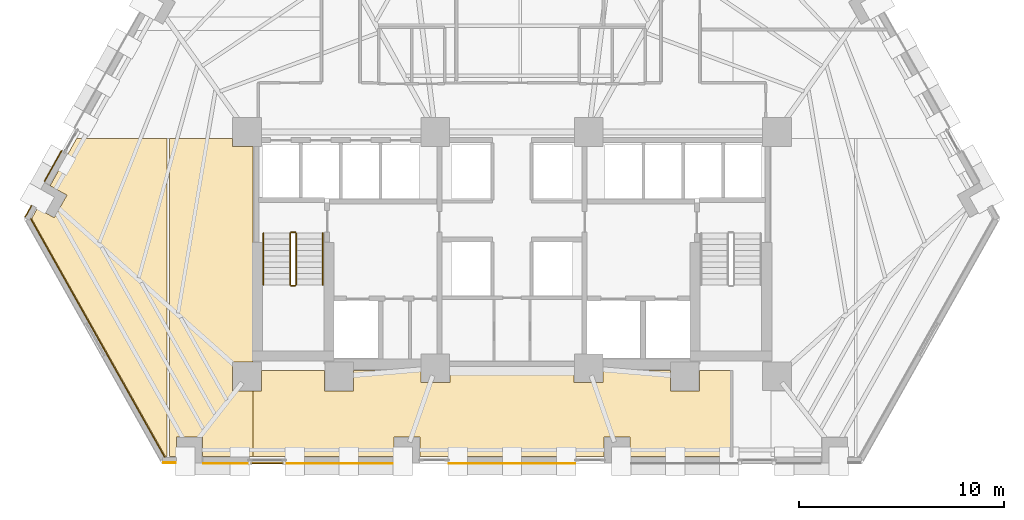
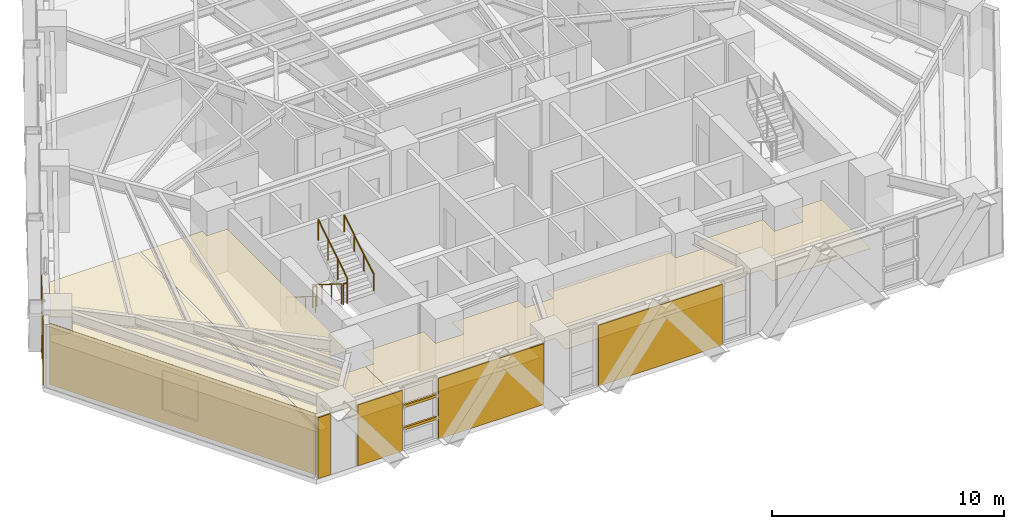
# One storey, part 10 of 13: 10 coverings, 6 railings, 2 shading devices.
"""IFC4 building model written with IfcOpenShell, lengths in metres."""

import ifcopenshell
import ifcopenshell.guid

model = None  # the IFC model being written
_history = None  # IfcOwnerHistory: only IFC2X3 demands one
_inside = {}  # id of a spatial element -> (the spatial element, [elements in it])
_under = {}  # id of a project, library or spatial element -> (it, [spatial elements below it])
_declared = {}  # id of a project -> (the project, [libraries it declares])
_typed = {}  # id of a type object -> (the type object, [elements of that type])
_made_of = {}  # id of a material, layer set ... -> (it, [elements and type objects made of it])


def new_model(schema):
    """Start an empty IFC model of exactly this schema.

    Asked for "IFC4X3", IfcOpenShell would pick the latest addendum, in which some entities
    have other attributes; the version numbers below select the first issue.
    IFC2X3 requires an IfcOwnerHistory on every rooted entity: one is made here for all.
    """
    global model, _history
    if schema == "IFC4X3":
        model = ifcopenshell.file(schema_version=(4, 3, 0, 0))
    else:
        model = ifcopenshell.file(schema=schema)
    _inside.clear()
    _under.clear()
    _declared.clear()
    _typed.clear()
    _made_of.clear()
    _history = None
    if model.schema == "IFC2X3":
        org = make("IfcOrganization", Name="unknown")
        user = make(
            "IfcPersonAndOrganization",
            ThePerson=make("IfcPerson", FamilyName="unknown"),
            TheOrganization=org,
        )
        app = make(
            "IfcApplication",
            ApplicationDeveloper=org,
            Version="unknown",
            ApplicationFullName="unknown",
            ApplicationIdentifier="unknown",
        )
        _history = make(
            "IfcOwnerHistory",
            OwningUser=user,
            OwningApplication=app,
            ChangeAction="ADDED",
            CreationDate=0,
        )
    return model


def make(cls, **values):
    """One entity of the class cls with the attributes given. An attribute that is None is left unset."""
    return model.create_entity(
        cls, **{name: value for name, value in values.items() if value is not None}
    )


def rooted(cls, **values):
    """An entity with a GlobalId (a new one), such as an element, a storey or a relation."""
    return make(cls, GlobalId=ifcopenshell.guid.new(), OwnerHistory=_history, **values)


def si_unit(unit_type, name, prefix=None):
    """IfcSIUnit, for example si_unit("LENGTHUNIT", "METRE", prefix="MILLI")."""
    return make("IfcSIUnit", UnitType=unit_type, Prefix=prefix, Name=name)


def assignment(units):
    """IfcUnitAssignment: the units of a project."""
    return None if units is None else make("IfcUnitAssignment", Units=units)


def point(xyz):
    """IfcCartesianPoint."""
    return None if xyz is None else make("IfcCartesianPoint", Coordinates=xyz)


def direction(xyz):
    """IfcDirection."""
    return None if xyz is None else make("IfcDirection", DirectionRatios=xyz)


def frame(location, z_axis=None, x_axis=None):
    """IfcAxis2Placement3D, a coordinate frame: its origin and axes. An axis left out is left unset."""
    return make(
        "IfcAxis2Placement3D",
        Location=point(location),
        Axis=direction(z_axis),
        RefDirection=direction(x_axis),
    )


def frame_2d(location, x_axis=None):
    """IfcAxis2Placement2D, a coordinate frame in the plane: its origin and x axis."""
    return make(
        "IfcAxis2Placement2D", Location=point(location), RefDirection=direction(x_axis)
    )


def origin():
    """The frame at (0, 0, 0) with its axes left unset."""
    return frame((0.0, 0.0, 0.0))


def origin_2d():
    """The frame at (0, 0) in the plane with its x axis left unset."""
    return frame_2d((0.0, 0.0))


def place(relative_to, where):
    """IfcLocalPlacement: puts the frame where relative to a parent placement (None: the world)."""
    return make(
        "IfcLocalPlacement", PlacementRelTo=relative_to, RelativePlacement=where
    )


def context(
    kind, dimensions, precision=None, world=None, true_north=None, identifier=None
):
    """IfcGeometricRepresentationContext, for example the 3D "Model" context."""
    return make(
        "IfcGeometricRepresentationContext",
        ContextIdentifier=identifier,
        ContextType=kind,
        CoordinateSpaceDimension=dimensions,
        Precision=precision,
        WorldCoordinateSystem=world,
        TrueNorth=true_north,
    )


def subcontext(parent, identifier, kind, view, scale=None):
    """IfcGeometricRepresentationSubContext, for example "Body" below "Model"."""
    return make(
        "IfcGeometricRepresentationSubContext",
        ContextIdentifier=identifier,
        ContextType=kind,
        ParentContext=parent,
        TargetScale=scale,
        TargetView=view,
    )


def project(units=None, contexts=None):
    """IfcProject with its units and contexts."""
    return rooted(
        "IfcProject",
        Name="project",
        RepresentationContexts=contexts,
        UnitsInContext=assignment(units),
    )


def spatial(cls, under=None, at=None, **own):
    """A site, building, storey or space (cls), placed at a placement, below another one or the project."""
    s = rooted(cls, ObjectPlacement=at, **own)
    if under is not None:
        _under.setdefault(under.id(), (under, []))[1].append(s)
    return s


def polyline(points):
    """IfcPolyline through the points."""
    return make("IfcPolyline", Points=[point(p) for p in points])


def profile(cls, at=None, kind="AREA", **sizes):
    """A parametric profile (cls). Its sizes go by their IFC names, for example OverallWidth=200.0."""
    return make(cls, ProfileType=kind, Position=at, **sizes)


def rectangle(**sizes):
    """IfcRectangleProfileDef."""
    return profile("IfcRectangleProfileDef", **sizes)


def circle(**sizes):
    """IfcCircleProfileDef."""
    return profile("IfcCircleProfileDef", **sizes)


def outline(outer, holes=None, kind="AREA"):
    """IfcArbitraryClosedProfileDef: a profile drawn as a closed curve; with holes, ...WithVoids."""
    if holes is None:
        return make("IfcArbitraryClosedProfileDef", ProfileType=kind, OuterCurve=outer)
    return make(
        "IfcArbitraryProfileDefWithVoids",
        ProfileType=kind,
        OuterCurve=outer,
        InnerCurves=holes,
    )


def extrude(swept, where, along, depth):
    """IfcExtrudedAreaSolid: the profile swept, set in the frame where, extruded along a direction by depth."""
    return make(
        "IfcExtrudedAreaSolid",
        SweptArea=swept,
        Position=where,
        ExtrudedDirection=direction(along),
        Depth=depth,
    )


def shape(context_of_items, identifier, shape_type, items):
    """IfcShapeRepresentation: the items that make up one representation, for example the "Body"."""
    return make(
        "IfcShapeRepresentation",
        ContextOfItems=context_of_items,
        RepresentationIdentifier=identifier,
        RepresentationType=shape_type,
        Items=items,
    )


def material(Name=None, Category=None):
    """IfcMaterial."""
    return make("IfcMaterial", Name=Name, Category=Category)


def layer(
    of_material, thickness, ventilated=None, Name=None, Category=None, Priority=None
):
    """IfcMaterialLayer: one layer of a wall or slab, of a material (None: an air gap)."""
    return make(
        "IfcMaterialLayer",
        Material=of_material,
        LayerThickness=thickness,
        IsVentilated=ventilated,
        Name=Name,
        Category=Category,
        Priority=Priority,
    )


def layer_set(layers, Name=None):
    """IfcMaterialLayerSet."""
    return make("IfcMaterialLayerSet", MaterialLayers=layers, LayerSetName=Name)


def material_profile(
    of_material, cross_section, Name=None, Category=None, Priority=None
):
    """IfcMaterialProfile: a cross section and its material."""
    return make(
        "IfcMaterialProfile",
        Name=Name,
        Material=of_material,
        Profile=cross_section,
        Priority=Priority,
        Category=Category,
    )


def profile_set(profiles, Name=None, composite=None):
    """IfcMaterialProfileSet."""
    return make(
        "IfcMaterialProfileSet",
        Name=Name,
        MaterialProfiles=profiles,
        CompositeProfile=composite,
    )


def made_of(thing, what):
    """Note that an element or type object is made of a material, layer set ...; save() writes the relation."""
    if what is not None:
        _made_of.setdefault(what.id(), (what, []))[1].append(thing)
    return thing


def type_object(cls, material=None, **own):
    """A type object (cls), such as IfcWallType, which elements share."""
    return made_of(rooted(cls, **own), material)


def element(
    cls,
    number,
    at=None,
    inside=None,
    cuts=None,
    type_object=None,
    material=None,
    context=None,
    identifier="Body",
    shape_type=None,
    held_by="IfcProductDefinitionShape",
    body=None,
    shapes=None,
    **own,
):
    """One element of the class cls, such as IfcWall. Its Tag is "e" and its number.

    at: its placement. inside: the storey or other place that contains it. cuts: it is an
    opening in that element (IfcRelVoidsElement). A single representation is given by context,
    identifier, shape_type and body (its items); several are given by shapes. held_by: the class
    of the entity that holds the representations. save() writes the other relations.
    """
    e = rooted(cls, Tag="e%d" % number, ObjectPlacement=at, **own)
    if body is not None:
        shapes = [shape(context, identifier, shape_type, body)]
    if shapes is not None:
        e.Representation = make(held_by, Representations=shapes)
    if inside is not None:
        _inside.setdefault(inside.id(), (inside, []))[1].append(e)
    if cuts is not None:
        rooted(
            "IfcRelVoidsElement", RelatingBuildingElement=cuts, RelatedOpeningElement=e
        )
    if type_object is not None:
        _typed.setdefault(type_object.id(), (type_object, []))[1].append(e)
    return made_of(e, material)


def aggregate(whole, parts):
    """IfcRelAggregates: a whole, such as a stair, and the parts it consists of."""
    return rooted("IfcRelAggregates", RelatingObject=whole, RelatedObjects=parts)


def save(model, path):
    """Write the relations noted so far, then the file.

    IfcRelAggregates (storeys below a building ...), IfcRelContainedInSpatialStructure (elements
    in a storey), IfcRelDefinesByType, IfcRelAssociatesMaterial and IfcRelDeclares: one each for
    every whole, place, type object, material and project.
    """
    for whole, parts in _under.values():
        aggregate(whole, parts)
    for where, things in _inside.values():
        rooted(
            "IfcRelContainedInSpatialStructure",
            RelatedElements=things,
            RelatingStructure=where,
        )
    for kind, things in _typed.values():
        rooted("IfcRelDefinesByType", RelatedObjects=things, RelatingType=kind)
    for what, things in _made_of.values():
        rooted("IfcRelAssociatesMaterial", RelatedObjects=things, RelatingMaterial=what)
    for by, libraries in _declared.values():
        rooted("IfcRelDeclares", RelatingContext=by, RelatedDefinitions=libraries)
    model.write(path)


model = new_model("IFC4")

# Units and contexts
model_context = context("Model", 3, precision=1e-05, world=origin(), true_north=direction((0.0, 1.0)))
body_context = subcontext(model_context, "Body", "Model", "MODEL_VIEW")
ifc_project = project(units=[si_unit("LENGTHUNIT", "METRE"), si_unit("AREAUNIT", "SQUARE_METRE"), si_unit("VOLUMEUNIT", "CUBIC_METRE"), si_unit("PLANEANGLEUNIT", "RADIAN"), si_unit("MASSUNIT", "GRAM", prefix="KILO")], contexts=[model_context])

# Site, building, storey
site_placement = place(None, origin())
site = spatial("IfcSite", under=ifc_project, at=site_placement, CompositionType="ELEMENT")
building_placement = place(site_placement, origin())
building = spatial("IfcBuilding", under=site, at=building_placement, Name="Quenlor Broadcast Tower", CompositionType="ELEMENT")
storey_placement = place(building_placement, frame((0.0, 0.0, 66.10009765625)))
storey = spatial("IfcBuildingStorey", under=building, at=storey_placement, Name="L17", CompositionType="ELEMENT", Elevation=66.10009765625)

# Coverings
ifc_material_1 = material(Name="Acoustic Mineral Fibre Board", Category="other")
ifc_layer_1 = layer(ifc_material_1, 0.02490234375)
ifc_layer_set_1 = layer_set([ifc_layer_1], Name="Acoustic Perforated Mineral Tile Ceiling 25")
covering_type_1 = type_object("IfcCoveringType", Name="Acoustic Perforated Mineral Tile Ceiling 25", PredefinedType="CEILING", material=ifc_layer_set_1)
covering_1_placement = place(storey_placement, frame((0.0, 0.0, 2.224853515625)))
element("IfcCovering", 1, at=covering_1_placement, inside=storey, type_object=covering_type_1, Name="L17 Acoustic Ceiling L17-39-2", PredefinedType="CEILING", context=body_context, shape_type="SweptSolid", body=[
    extrude(outline(polyline([(-13.657958984375, -5.508056640625), (-12.64990234375, -5.508056640625), (-12.64990234375, -16.0419921875), (-13.657958984375, -16.0419921875), (-13.657958984375, -17.4580078125), (-12.64990234375, -17.4580078125), (-12.64990234375, -20.659912109375), (-15.132080078125, -20.659912109375), (-15.132080078125, -19.717041015625), (-16.398193359375, -19.717041015625), (-16.398193359375, -20.659912109375), (-16.739990234375, -20.659912109375), (-16.739990234375, -5.1201171875), (-13.657958984375, -5.1201171875), (-13.657958984375, -5.508056640625)])), origin(), (0.0, 0.0, 1.0), 0.025146484375),
])
covering_2_placement = place(storey_placement, frame((0.0, 0.0, 2.224853515625)))
element("IfcCovering", 2, at=covering_2_placement, inside=storey, type_object=covering_type_1, Name="L17 Acoustic Ceiling L17-39-3", PredefinedType="CEILING", context=body_context, shape_type="SweptSolid", body=[
    extrude(outline(polyline([(-16.860107421875, -20.659912109375), (-16.937255859375, -20.659912109375), (-23.477783203125, -9.031982421875), (-23.196533203125, -8.531982421875), (-22.374755859375, -8.994140625), (-21.754150390625, -7.890625), (-22.575927734375, -7.428466796875), (-21.27734375, -5.1201171875), (-16.860107421875, -5.1201171875), (-16.860107421875, -20.659912109375)])), origin(), (0.0, 0.0, 1.0), 0.025146484375),
])
covering_3_placement = place(storey_placement, frame((0.0, 0.0, 2.224853515625)))
element("IfcCovering", 3, at=covering_3_placement, inside=storey, type_object=covering_type_1, Name="L17 Acoustic Ceiling L17-39-4", PredefinedType="CEILING", context=body_context, shape_type="SweptSolid", body=[
    extrude(outline(polyline([(-12.241943359375, -17.4580078125), (-12.241943359375, -16.449951171875), (-9.157958984375, -16.449951171875), (-9.157958984375, -17.4580078125), (-7.741943359375, -17.4580078125), (-7.741943359375, -16.449951171875), (-4.4580078125, -16.449951171875), (-4.4580078125, -17.05810546875), (-3.0419921875, -17.05810546875), (-3.0419921875, -16.449951171875), (3.0419921875, -16.449951171875), (3.0419921875, -17.05810546875), (4.4580078125, -17.05810546875), (4.4580078125, -16.449951171875), (7.741943359375, -16.449951171875), (7.741943359375, -17.4580078125), (9.157958984375, -17.4580078125), (9.157958984375, -16.449951171875), (10.68505859375, -16.449951171875), (10.68505859375, -20.659912109375), (5.773681640625, -20.659912109375), (5.773681640625, -19.717041015625), (4.5078125, -19.717041015625), (4.5078125, -20.659912109375), (-4.5078125, -20.659912109375), (-4.5078125, -19.717041015625), (-5.773681640625, -19.717041015625), (-5.773681640625, -20.659912109375), (-12.64990234375, -20.659912109375), (-12.64990234375, -17.4580078125), (-12.241943359375, -17.4580078125)])), origin(), (0.0, 0.0, 1.0), 0.025146484375),
])

# Shading devices
ifc_material_2 = material(Name="Architectural Terracotta Ceramic", Category="masonry")
ifc_material_profile = material_profile(ifc_material_2, rectangle(XDim=0.090087890625, YDim=0.139892578125, at=origin_2d()))
ifc_profile_set = profile_set([ifc_material_profile], Name="Architectural Terracotta Ceramic BAG90x140")
shading_device_type = type_object("IfcShadingDeviceType", Name="Copper Terracotta Baguette Solar Screen 140", PredefinedType="USERDEFINED", material=ifc_profile_set)
for number, where, z_axis, x_axis, name in (
    (4, (-11.146484375, -20.98291015625, 1.169921875), (-1.0, 0.0, 0.0), (0.0, -1.0, 0.0), "L17 Terracotta Baguette Screen 1"),
    (5, (-11.146484375, -20.98291015625, 2.33984375), (-1.0, 0.0, 0.0), (0.0, -1.0, 0.0), "L17 Terracotta Baguette Screen 2"),
):
    element("IfcShadingDevice", number, at=place(storey_placement, frame(where, z_axis=z_axis, x_axis=x_axis)), inside=storey, type_object=shading_device_type, Name=name, ObjectType="BAGUETTE", PredefinedType="USERDEFINED", context=body_context, shape_type="SweptSolid", body=[
        extrude(rectangle(XDim=0.090087890625, YDim=0.139892578125, at=origin_2d()), origin(), (0.0, 0.0, 1.0), 1.6484375),
    ])

# Coverings
ifc_material_3 = material(Name="Architectural Terracotta Ceramic", Category="masonry")
ifc_layer_2 = layer(ifc_material_3, 0.044921875)
ifc_layer_set_2 = layer_set([ifc_layer_2], Name="Fluted Terracotta Rainscreen Cladding Panel")
covering_type_2 = type_object("IfcCoveringType", Name="Fluted Terracotta Rainscreen Cladding Panel", PredefinedType="CLADDING", material=ifc_layer_set_2)
covering_4_placement = place(storey_placement, frame((0.0, 0.0, 0.02001953125)))
element("IfcCovering", 6, at=covering_4_placement, inside=storey, type_object=covering_type_2, Name="L17 Terracotta Rainscreen Cladding L17-SHD-SS1", PredefinedType="CLADDING", context=body_context, shape_type="SweptSolid", body=[
    extrude(outline(polyline([(-16.425048828125, -20.951904296875), (-17.0458984375, -20.951904296875), (-17.0458984375, -20.9970703125), (-16.425048828125, -20.9970703125), (-16.425048828125, -20.951904296875)])), origin(), (0.0, 0.0, 1.0), 3.2099609375),
])
covering_5_placement = place(storey_placement, frame((0.0, 0.0, 0.02001953125)))
element("IfcCovering", 7, at=covering_5_placement, inside=storey, type_object=covering_type_2, Name="L17 Terracotta Rainscreen Cladding L17-SC-SP1", PredefinedType="CLADDING", context=body_context, shape_type="SweptSolid", body=[
    extrude(outline(polyline([(-5.82080078125, -20.98193359375), (-11.07666015625, -20.98193359375), (-11.07666015625, -21.027099609375), (-5.82080078125, -21.027099609375), (-5.82080078125, -20.98193359375)])), origin(), (0.0, 0.0, 1.0), 3.2099609375),
])
covering_6_placement = place(storey_placement, frame((0.0, 0.0, 0.02001953125)))
element("IfcCovering", 8, at=covering_6_placement, inside=storey, type_object=covering_type_2, Name="L17 Terracotta Rainscreen Cladding L17-SC-SP2", PredefinedType="CLADDING", context=body_context, shape_type="SweptSolid", body=[
    extrude(outline(polyline([(-12.864990234375, -20.98193359375), (-15.085205078125, -20.98193359375), (-15.085205078125, -21.027099609375), (-12.864990234375, -21.027099609375), (-12.864990234375, -20.98193359375)])), origin(), (0.0, 0.0, 1.0), 3.2099609375),
])
covering_7_placement = place(storey_placement, frame((0.0, 0.0, 0.02001953125)))
element("IfcCovering", 9, at=covering_7_placement, inside=storey, type_object=covering_type_2, Name="L17 Terracotta Rainscreen Cladding L17-S-SP1", PredefinedType="CLADDING", context=body_context, shape_type="SweptSolid", body=[
    extrude(outline(polyline([(3.09619140625, -20.98193359375), (-3.09619140625, -20.98193359375), (-3.09619140625, -21.027099609375), (3.09619140625, -21.027099609375), (3.09619140625, -20.98193359375)])), origin(), (0.0, 0.0, 1.0), 3.2099609375),
])
covering_8_placement = place(storey_placement, frame((0.0, 0.0, 0.02001953125)))
element("IfcCovering", 10, at=covering_8_placement, inside=storey, type_object=covering_type_2, Name="L17 Terracotta Rainscreen Cladding L17-SHD-NWS0", PredefinedType="CLADDING", context=body_context, shape_type="SweptSolid", body=[
    extrude(outline(polyline([(-23.781982421875, -8.97705078125), (-23.464111328125, -8.412109375), (-23.50341796875, -8.39013671875), (-23.8212890625, -8.955078125), (-23.781982421875, -8.97705078125)])), origin(), (0.0, 0.0, 1.0), 3.2099609375),
])
covering_9_placement = place(storey_placement, frame((0.0, 0.0, 0.02001953125)))
element("IfcCovering", 11, at=covering_9_placement, inside=storey, type_object=covering_type_2, Name="L17 Terracotta Rainscreen Cladding L17-NWA-SP1", PredefinedType="CLADDING", context=body_context, shape_type="SweptSolid", body=[
    extrude(outline(polyline([(-22.83349609375, -7.2294921875), (-21.988525390625, -5.727294921875), (-22.027587890625, -5.705322265625), (-22.872802734375, -7.20751953125), (-22.83349609375, -7.2294921875)])), origin(), (0.0, 0.0, 1.0), 3.2099609375),
])
covering_10_placement = place(storey_placement, frame((0.0, 0.0, 0.02001953125)))
element("IfcCovering", 12, at=covering_10_placement, inside=storey, type_object=covering_type_2, Name="L17 Terracotta Rainscreen Cladding L17-CNR-04", PredefinedType="CLADDING", context=body_context, shape_type="SweptSolid", body=[
    extrude(outline(polyline([(-23.547607421875, -9.046875), (-16.98388671875, -20.71533203125), (-16.94482421875, -20.693359375), (-23.50830078125, -9.02490234375), (-23.547607421875, -9.046875)])), origin(), (0.0, 0.0, 1.0), 3.2099609375),
])

# Railings
ifc_material_4 = material(Name="Anodised Aluminium", Category="aluminium")
railing_type_1 = type_object("IfcRailingType", Name="Stainless Aluminium Wall Handrail 900", PredefinedType="HANDRAIL", material=ifc_material_4)
railing_1_placement = place(storey_placement, frame((-12.14990234375, -9.75, 0.1748046875)))
element("IfcRailing", 13, at=railing_1_placement, inside=storey, type_object=railing_type_1, Name="L17 ST-1 stair handrail 1", PredefinedType="HANDRAIL", context=body_context, shape_type="SweptSolid", body=[
    extrude(circle(Radius=0.02392578125, at=origin_2d()), frame((0.0, 0.0, 0.8759765625), z_axis=(0.0, -0.847970611238, 0.530043245855), x_axis=(1.0, 0.0, 0.0)), (0.0, 0.0, 1.0), 2.971923828125),
    extrude(circle(Radius=0.02099609375, at=origin_2d()), origin(), (0.0, 0.0, 1.0), 0.851806640625),
    extrude(circle(Radius=0.02099609375, at=origin_2d()), frame((0.0, -0.840087890625, 0.525146484375)), (0.0, 0.0, 1.0), 0.851806640625),
    extrude(circle(Radius=0.02099609375, at=origin_2d()), frame((0.0, -1.679931640625, 1.050048828125)), (0.0, 0.0, 1.0), 0.851806640625),
    extrude(circle(Radius=0.02099609375, at=origin_2d()), frame((0.0, -2.52001953125, 1.5751953125)), (0.0, 0.0, 1.0), 0.851806640625),
])
railing_2_placement = place(storey_placement, frame((-9.25, -12.27001953125, 1.9248046875)))
element("IfcRailing", 14, at=railing_2_placement, inside=storey, type_object=railing_type_1, Name="L17 ST-1 stair handrail 2", PredefinedType="HANDRAIL", context=body_context, shape_type="SweptSolid", body=[
    extrude(circle(Radius=0.02392578125, at=origin_2d()), frame((0.0, 0.0, 0.8759765625), z_axis=(0.0, 0.847970611238, 0.530043245855), x_axis=(-1.0, 0.0, 0.0)), (0.0, 0.0, 1.0), 2.971923828125),
    extrude(circle(Radius=0.02099609375, at=origin_2d()), origin(), (0.0, 0.0, 1.0), 0.851806640625),
    extrude(circle(Radius=0.02099609375, at=origin_2d()), frame((0.0, 0.840087890625, 0.525146484375)), (0.0, 0.0, 1.0), 0.851806640625),
    extrude(circle(Radius=0.02099609375, at=origin_2d()), frame((0.0, 1.679931640625, 1.050048828125)), (0.0, 0.0, 1.0), 0.851806640625),
    extrude(circle(Radius=0.02099609375, at=origin_2d()), frame((0.0, 2.52001953125, 1.5751953125)), (0.0, 0.0, 1.0), 0.851806640625),
])
ifc_material_5 = material(Name="Steel S355", Category="steel")
railing_type_2 = type_object("IfcRailingType", Name="Tubular Steel S355 Stair Guardrail 1100", PredefinedType="BALUSTRADE", material=ifc_material_5)
railing_3_placement = place(storey_placement, frame((-10.85009765625, -9.75, 0.1748046875)))
element("IfcRailing", 15, at=railing_3_placement, inside=storey, type_object=railing_type_2, Name="L17 ST-1 stair guard 1", PredefinedType="BALUSTRADE", context=body_context, shape_type="SweptSolid", body=[
    extrude(circle(Radius=0.02392578125, at=origin_2d()), frame((0.0, 0.0, 1.076171875), z_axis=(0.0, -0.847970611238, 0.530043245855), x_axis=(1.0, 0.0, 0.0)), (0.0, 0.0, 1.0), 2.971923828125),
    extrude(circle(Radius=0.02099609375, at=origin_2d()), origin(), (0.0, 0.0, 1.0), 1.052001953125),
    extrude(circle(Radius=0.02099609375, at=origin_2d()), frame((0.0, -0.840087890625, 0.525146484375)), (0.0, 0.0, 1.0), 1.052001953125),
    extrude(circle(Radius=0.02099609375, at=origin_2d()), frame((0.0, -1.679931640625, 1.050048828125)), (0.0, 0.0, 1.0), 1.052001953125),
    extrude(circle(Radius=0.02099609375, at=origin_2d()), frame((0.0, -2.52001953125, 1.5751953125)), (0.0, 0.0, 1.0), 1.052001953125),
])
railing_4_placement = place(storey_placement, frame((-10.800048828125, -12.320068359375, 1.75)))
element("IfcRailing", 16, at=railing_4_placement, inside=storey, type_object=railing_type_2, Name="L17 ST-1 stair guard 2", PredefinedType="BALUSTRADE", context=body_context, shape_type="SweptSolid", body=[
    extrude(circle(Radius=0.02392578125, at=origin_2d()), frame((0.0, 0.0, 1.076171875), z_axis=(1.0, 0.0, 0.0), x_axis=(0.0, 1.0, 0.0)), (0.0, 0.0, 1.0), 0.199951171875),
    extrude(circle(Radius=0.02099609375, at=origin_2d()), origin(), (0.0, 0.0, 1.0), 1.052001953125),
    extrude(circle(Radius=0.02099609375, at=origin_2d()), frame((0.199951171875, 0.0, 0.0)), (0.0, 0.0, 1.0), 1.052001953125),
])
railing_5_placement = place(storey_placement, frame((-10.550048828125, -12.27001953125, 1.9248046875)))
element("IfcRailing", 17, at=railing_5_placement, inside=storey, type_object=railing_type_2, Name="L17 ST-1 stair guard 3", PredefinedType="BALUSTRADE", context=body_context, shape_type="SweptSolid", body=[
    extrude(circle(Radius=0.02392578125, at=origin_2d()), frame((0.0, 0.0, 1.076171875), z_axis=(0.0, 0.847970611238, 0.530043245855), x_axis=(-1.0, 0.0, 0.0)), (0.0, 0.0, 1.0), 2.971923828125),
    extrude(circle(Radius=0.02099609375, at=origin_2d()), origin(), (0.0, 0.0, 1.0), 1.052001953125),
    extrude(circle(Radius=0.02099609375, at=origin_2d()), frame((0.0, 0.840087890625, 0.525146484375)), (0.0, 0.0, 1.0), 1.052001953125),
    extrude(circle(Radius=0.02099609375, at=origin_2d()), frame((0.0, 1.679931640625, 1.050048828125)), (0.0, 0.0, 1.0), 1.052001953125),
    extrude(circle(Radius=0.02099609375, at=origin_2d()), frame((0.0, 2.52001953125, 1.5751953125)), (0.0, 0.0, 1.0), 1.052001953125),
])
railing_6_placement = place(storey_placement, frame((-10.800048828125, -9.699951171875, 0.0)))
element("IfcRailing", 18, at=railing_6_placement, inside=storey, type_object=railing_type_2, Name="L17 ST-1 stair guard 4", PredefinedType="BALUSTRADE", context=body_context, shape_type="SweptSolid", body=[
    extrude(circle(Radius=0.02392578125, at=origin_2d()), frame((0.0, 0.0, 1.076171875), z_axis=(1.0, 0.0, 0.0), x_axis=(0.0, 1.0, 0.0)), (0.0, 0.0, 1.0), 0.199951171875),
    extrude(circle(Radius=0.02099609375, at=origin_2d()), origin(), (0.0, 0.0, 1.0), 1.052001953125),
    extrude(circle(Radius=0.02099609375, at=origin_2d()), frame((0.199951171875, 0.0, 0.0)), (0.0, 0.0, 1.0), 1.052001953125),
])

save(model, "model.ifc")
